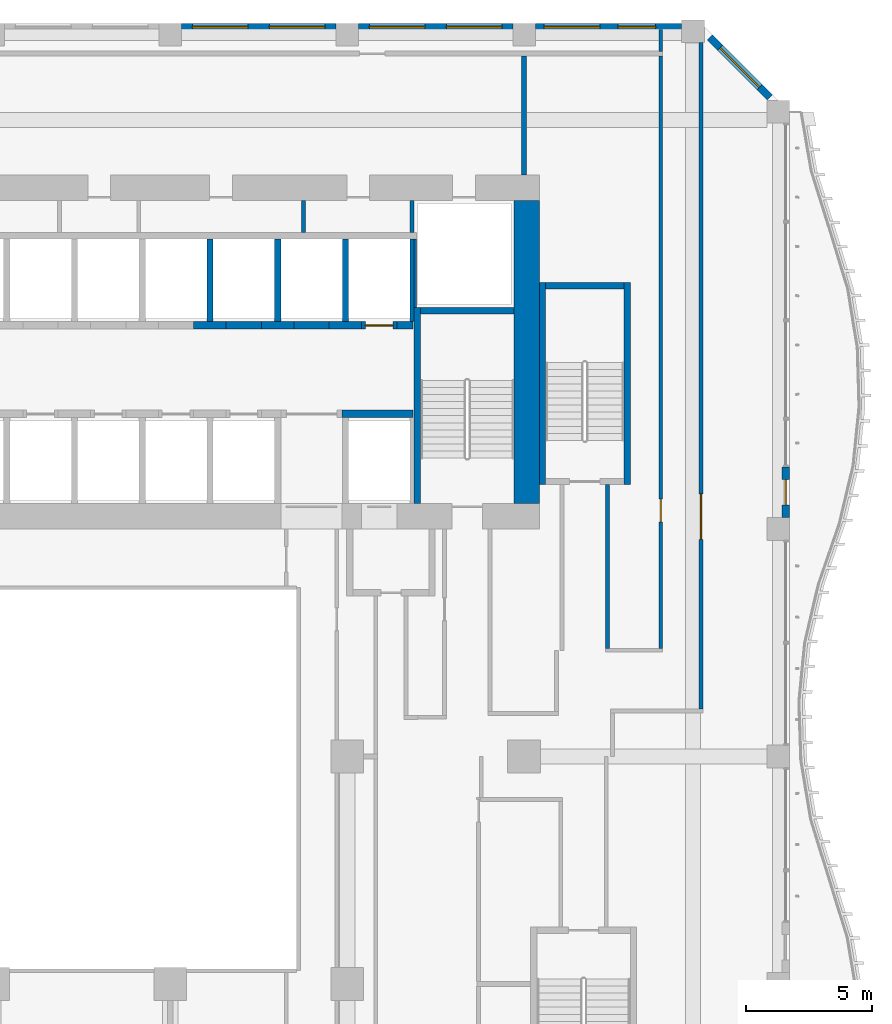
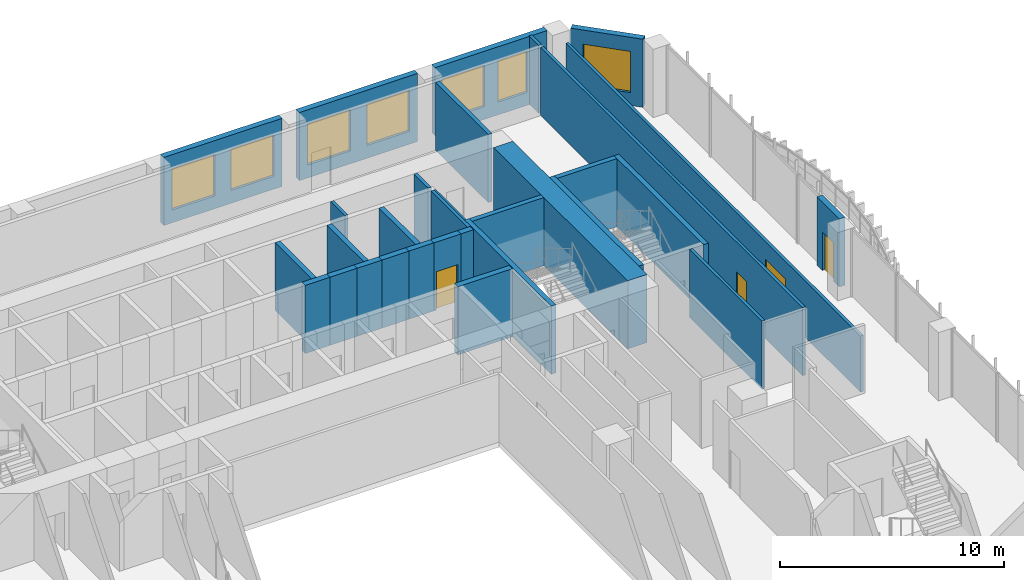
# One storey, part 15 of 25: 31 walls, 7 windows, 4 doors, 11 openings.
"""IFC4 building model written with IfcOpenShell, lengths in metres."""

from ifc_helpers import new_model, si_unit, direction, frame, frame_2d, origin, place, context, subcontext, project, spatial, rectangle, extrude, source, transform, mapped, material, layer, layer_set, type_object, element, fill, save


model = new_model("IFC4")

# Units and contexts
model_context = context("Model", 3, precision=1e-05, world=origin(), true_north=direction((0.0, 1.0)))
body_context = subcontext(model_context, "Body", "Model", "MODEL_VIEW")
ifc_project = project(units=[si_unit("LENGTHUNIT", "METRE"), si_unit("AREAUNIT", "SQUARE_METRE"), si_unit("VOLUMEUNIT", "CUBIC_METRE"), si_unit("PLANEANGLEUNIT", "RADIAN"), si_unit("MASSUNIT", "GRAM", prefix="KILO")], contexts=[model_context])

# Site, building, storey
site_placement = place(None, origin())
site = spatial("IfcSite", under=ifc_project, at=site_placement, CompositionType="ELEMENT")
building_placement = place(site_placement, origin())
building = spatial("IfcBuilding", under=site, at=building_placement, Name="Kilnfold Tower and Market Hall", CompositionType="ELEMENT")
storey_placement = place(building_placement, frame((0.0, 0.0, 39.0)))
storey = spatial("IfcBuildingStorey", under=building, at=storey_placement, Name="L08", CompositionType="ELEMENT", Elevation=39.0)

# Wall
ifc_material_1 = material(Name="Gypsum board on steel studs", Category="steel")
ifc_layer_1 = layer(ifc_material_1, 0.14990234375)
ifc_layer_set_1 = layer_set([ifc_layer_1], Name="Gypsum board on steel studs")
wall_type_1 = type_object("IfcWallType", Name="WALL CORRIDOR 150", PredefinedType="PARTITIONING", material=ifc_layer_set_1)
wall_1_placement = place(storey_placement, frame((20.800048828125, 3.27490234375, 0.0), z_axis=(0.0, 0.0, 1.0), x_axis=(0.0, 1.0, 0.0)))
element("IfcWall", 1, at=wall_1_placement, inside=storey, type_object=wall_type_1, Name="Partition LY08.27", PredefinedType="PARTITIONING", context=body_context, shape_type="SweptSolid", body=[
    extrude(rectangle(XDim=6.47509765625, YDim=0.14990234375, at=frame_2d((3.237548828125, 0.0))), origin(), (0.0, 0.0, 1.0), 3.719970703125),
])

# Wall, opening, door
wall_2_placement = place(storey_placement, frame((22.89990234375, 3.27490234375, 0.0), z_axis=(0.0, 0.0, 1.0), x_axis=(0.0, 1.0, 0.0)))
wall_2 = element("IfcWall", 2, at=wall_2_placement, inside=storey, type_object=wall_type_1, Name="Partition LY08.29", PredefinedType="PARTITIONING", context=body_context, shape_type="SweptSolid", body=[
    extrude(rectangle(XDim=23.43505859375, YDim=0.14990234375, at=frame_2d((11.717529296875, 0.0))), origin(), (0.0, 0.0, 1.0), 3.719970703125),
])
opening_1_placement = place(wall_2_placement, frame((5.008056640625, 0.0, 0.0)))
opening_1 = element("IfcOpeningElement", 3, at=opening_1_placement, cuts=wall_2, Name="Opening D2", PredefinedType="OPENING", context=body_context, shape_type="SweptSolid", body=[
    extrude(rectangle(XDim=0.89990234375, YDim=2.10009765625, at=frame_2d((0.449951171875, 1.050048828125))), frame((0.0, 0.0849609375, 0.0), z_axis=(0.0, -1.0, 0.0), x_axis=(1.0, 0.0, 0.0)), (0.0, 0.0, 1.0), 0.169921875),
])
ifc_material_2 = material(Name="Timber veneer door leaf in steel frame", Category="steel")
door_type_1 = type_object("IfcDoorType", Name="DOOR ROOM 900 X2100", OperationType="NOTDEFINED", PredefinedType="DOOR", material=ifc_material_2)
door_1_placement = place(opening_1_placement, origin())
door_1 = element("IfcDoor", 4, at=door_1_placement, inside=storey, type_object=door_type_1, Name="Door D2", OperationType="SINGLE_SWING_RIGHT", OverallHeight=2.10009765625, OverallWidth=0.89990234375, PredefinedType="DOOR", context=body_context, shape_type="SweptSolid", body=[
    extrude(rectangle(XDim=0.89990234375, YDim=2.10009765625, at=frame_2d((0.449951171875, 1.050048828125))), frame((0.0, 0.02490234375, 0.0), z_axis=(0.0, -1.0, 0.0), x_axis=(1.0, 0.0, 0.0)), (0.0, 0.0, 1.0), 0.050048828125),
])
fill(opening_1, door_1)

wall_3_placement = place(storey_placement, frame((24.5, 0.875, 0.0), z_axis=(0.0, 0.0, 1.0), x_axis=(0.0, 1.0, 0.0)))
wall_3 = element("IfcWall", 5, at=wall_3_placement, inside=storey, type_object=wall_type_1, Name="Partition LY08.48", PredefinedType="PARTITIONING", context=body_context, shape_type="SweptSolid", body=[
    extrude(rectangle(XDim=26.35693359375, YDim=0.14990234375, at=frame_2d((13.178466796875, 0.0))), origin(), (0.0, 0.0, 1.0), 3.070068359375),
])
opening_2_placement = place(wall_3_placement, frame((6.715087890625, 0.0, 0.0)))
opening_2 = element("IfcOpeningElement", 6, at=opening_2_placement, cuts=wall_3, Name="Opening D5", PredefinedType="OPENING", context=body_context, shape_type="SweptSolid", body=[
    extrude(rectangle(XDim=1.800048828125, YDim=2.10009765625, at=frame_2d((0.89990234375, 1.050048828125))), frame((0.0, 0.0849609375, 0.0), z_axis=(0.0, -1.0, 0.0), x_axis=(1.0, 0.0, 0.0)), (0.0, 0.0, 1.0), 0.169921875),
])
ifc_material_3 = material(Name="Timber veneer door leaf in steel frame", Category="steel")
door_type_2 = type_object("IfcDoorType", Name="DOOR DOUBLE 1800 X2100", OperationType="NOTDEFINED", PredefinedType="DOOR", material=ifc_material_3)
door_2_placement = place(opening_2_placement, origin())
door_2 = element("IfcDoor", 7, at=door_2_placement, inside=storey, type_object=door_type_2, Name="Door D5", OperationType="DOUBLE_DOOR_SINGLE_SWING", OverallHeight=2.10009765625, OverallWidth=1.800048828125, PredefinedType="DOOR", context=body_context, shape_type="SweptSolid", body=[
    extrude(rectangle(XDim=1.800048828125, YDim=2.10009765625, at=frame_2d((0.89990234375, 1.050048828125))), frame((0.0, 0.02490234375, 0.0), z_axis=(0.0, -1.0, 0.0), x_axis=(1.0, 0.0, 0.0)), (0.0, 0.0, 1.0), 0.050048828125),
])
fill(opening_2, door_2)

# Walls
wall_4_placement = place(storey_placement, frame((22.89990234375, 26.89111328125, 0.0), z_axis=(0.0, 0.0, 1.0), x_axis=(0.0, 1.0, 0.0)))
element("IfcWall", 8, at=wall_4_placement, inside=storey, type_object=wall_type_1, Name="Partition LY08.54", PredefinedType="PARTITIONING", context=body_context, shape_type="SweptSolid", body=[
    extrude(rectangle(XDim=0.85888671875, YDim=0.14990234375, at=frame_2d((0.429443359375, 0.0))), origin(), (0.0, 0.0, 1.0), 3.719970703125),
])
ifc_material_4 = material(Name="Gypsum board on steel studs", Category="steel")
ifc_layer_2 = layer(ifc_material_4, 0.199951171875)
ifc_layer_set_2 = layer_set([ifc_layer_2], Name="Gypsum board on steel studs")
wall_type_2 = type_object("IfcWallType", Name="WALL PARTY 200", PredefinedType="PARTITIONING", material=ifc_layer_set_2)
wall_5_placement = place(storey_placement, frame((17.5, 22.0, 0.0), z_axis=(0.0, 0.0, 1.0), x_axis=(0.0, 1.0, 0.0)))
element("IfcWall", 9, at=wall_5_placement, inside=storey, type_object=wall_type_2, Name="Partition LY08.55", PredefinedType="PARTITIONING", context=body_context, shape_type="SweptSolid", body=[
    extrude(rectangle(XDim=4.699951171875, YDim=0.199951171875, at=frame_2d((2.35009765625, 0.0))), origin(), (0.0, 0.0, 1.0), 3.719970703125),
])
ifc_material_5 = material(Name="Concrete C80", Category="concrete")
ifc_layer_3 = layer(ifc_material_5, 1.0)
ifc_layer_set_3 = layer_set([ifc_layer_3], Name="Concrete C80")
wall_type_3 = type_object("IfcWallType", Name="CORE WALL 1000 C80", PredefinedType="SHEAR", material=ifc_layer_set_3)
shared_shape_1 = source(origin(), body_context, "Body", "SweptSolid", [
    extrude(rectangle(XDim=12.0, YDim=1.0, at=frame_2d((6.0, 0.0))), origin(), (0.0, 0.0, 1.0), 3.719970703125),
])
wall_6_placement = place(storey_placement, frame((17.60009765625, 9.0, 0.0), z_axis=(0.0, 0.0, 1.0), x_axis=(0.0, 1.0, 0.0)))
element("IfcWall", 10, at=wall_6_placement, inside=storey, type_object=wall_type_3, Name="Core outer wall east", PredefinedType="SHEAR", context=body_context, shape_type="MappedRepresentation", body=[
    mapped(shared_shape_1, transform((0.0, 0.0, 0.0))),
])
ifc_material_6 = material(Name="Concrete C80", Category="concrete")
ifc_layer_4 = layer(ifc_material_6, 0.25)
ifc_layer_set_4 = layer_set([ifc_layer_4], Name="Concrete C80")
wall_type_4 = type_object("IfcWallType", Name="CORE WALL 250 C80", PredefinedType="SHEAR", material=ifc_layer_set_4)
shared_shape_2 = source(origin(), body_context, "Body", "SweptSolid", [
    extrude(rectangle(XDim=7.75, YDim=0.25, at=frame_2d((3.875, 0.0))), origin(), (0.0, 0.0, 1.0), 3.719970703125),
])
wall_7_placement = place(storey_placement, frame((13.27490234375, 9.0, 0.0), z_axis=(0.0, 0.0, 1.0), x_axis=(0.0, 1.0, 0.0)))
element("IfcWall", 11, at=wall_7_placement, inside=storey, type_object=wall_type_4, Name="Stair enclosure ST2", PredefinedType="SHEAR", context=body_context, shape_type="MappedRepresentation", body=[
    mapped(shared_shape_2, transform((0.0, 0.0, 0.0))),
])
shared_shape_3 = source(origin(), body_context, "Body", "SweptSolid", [
    extrude(rectangle(XDim=3.7001953125, YDim=0.25, at=frame_2d((1.85009765625, 0.0))), origin(), (0.0, 0.0, 1.0), 3.719970703125),
])
wall_8_placement = place(storey_placement, frame((13.39990234375, 16.625, 0.0), z_axis=(0.0, 0.0, 1.0), x_axis=(1.0, 0.0, 0.0)))
element("IfcWall", 12, at=wall_8_placement, inside=storey, type_object=wall_type_4, Name="Stair enclosure ST2", PredefinedType="SHEAR", context=body_context, shape_type="MappedRepresentation", body=[
    mapped(shared_shape_3, transform((0.0, 0.0, 0.0))),
])
shared_shape_4 = source(origin(), body_context, "Body", "SweptSolid", [
    extrude(rectangle(XDim=8.0, YDim=0.25, at=frame_2d((4.0, 0.0))), origin(), (0.0, 0.0, 1.0), 3.719970703125),
])
for number, where, z_axis, x_axis, name in (
    (13, (18.22509765625, 9.75, 0.0), (0.0, 0.0, 1.0), (0.0, 1.0, 0.0), "Stair enclosure ST5"),
    (14, (21.574951171875, 9.75, 0.0), (0.0, 0.0, 1.0), (0.0, 1.0, 0.0), "Stair enclosure ST5"),
):
    element("IfcWall", number, at=place(storey_placement, frame(where, z_axis=z_axis, x_axis=x_axis)), inside=storey, type_object=wall_type_4, Name=name, PredefinedType="SHEAR", context=body_context, shape_type="MappedRepresentation", body=[
        mapped(shared_shape_4, transform((0.0, 0.0, 0.0))),
    ])
shared_shape_5 = source(origin(), body_context, "Body", "SweptSolid", [
    extrude(rectangle(XDim=3.099853515625, YDim=0.25, at=frame_2d((1.5498046875, 0.0))), origin(), (0.0, 0.0, 1.0), 3.719970703125),
])
wall_9_placement = place(storey_placement, frame((18.35009765625, 17.625, 0.0), z_axis=(0.0, 0.0, 1.0), x_axis=(1.0, 0.0, 0.0)))
element("IfcWall", 15, at=wall_9_placement, inside=storey, type_object=wall_type_4, Name="Stair enclosure ST5", PredefinedType="SHEAR", context=body_context, shape_type="MappedRepresentation", body=[
    mapped(shared_shape_5, transform((0.0, 0.0, 0.0))),
])
ifc_material_7 = material(Name="Concrete C80", Category="concrete")
ifc_layer_5 = layer(ifc_material_7, 0.300048828125)
ifc_layer_set_5 = layer_set([ifc_layer_5], Name="Concrete C80")
wall_type_5 = type_object("IfcWallType", Name="CORE WALL 300 C80", PredefinedType="SHEAR", material=ifc_layer_set_5)
shared_shape_6 = source(origin(), body_context, "Body", "SweptSolid", [
    extrude(rectangle(XDim=1.280029296875, YDim=0.300048828125, at=frame_2d((0.64013671875, 0.0))), origin(), (0.0, 0.0, 1.0), 3.719970703125),
])
for number, where, z_axis, x_axis, name in (
    (16, (4.429931640625, 16.050048828125, 0.0), (0.0, 0.0, 1.0), (1.0, 0.0, 0.0), "Core spine wall"),
    (17, (9.7900390625, 16.050048828125, 0.0), (0.0, 0.0, 1.0), (1.0, 0.0, 0.0), "Core spine wall"),
):
    element("IfcWall", number, at=place(storey_placement, frame(where, z_axis=z_axis, x_axis=x_axis)), inside=storey, type_object=wall_type_5, Name=name, PredefinedType="SHEAR", context=body_context, shape_type="MappedRepresentation", body=[
        mapped(shared_shape_6, transform((0.0, 0.0, 0.0))),
    ])
shared_shape_7 = source(origin(), body_context, "Body", "SweptSolid", [
    extrude(rectangle(XDim=2.820068359375, YDim=0.300048828125, at=frame_2d((1.41015625, 0.0))), origin(), (0.0, 0.0, 1.0), 3.719970703125),
])
wall_10_placement = place(storey_placement, frame((10.2900390625, 12.550048828125, 0.0), z_axis=(0.0, 0.0, 1.0), x_axis=(1.0, 0.0, 0.0)))
element("IfcWall", 18, at=wall_10_placement, inside=storey, type_object=wall_type_5, Name="Core spine wall", PredefinedType="SHEAR", context=body_context, shape_type="MappedRepresentation", body=[
    mapped(shared_shape_7, transform((0.0, 0.0, 0.0))),
])
shared_shape_8 = source(origin(), body_context, "Body", "SweptSolid", [
    extrude(rectangle(XDim=1.27978515625, YDim=0.300048828125, at=frame_2d((0.639892578125, 0.0))), origin(), (0.0, 0.0, 1.0), 3.719970703125),
])
wall_11_placement = place(storey_placement, frame((7.110107421875, 16.050048828125, 0.0), z_axis=(0.0, 0.0, 1.0), x_axis=(1.0, 0.0, 0.0)))
element("IfcWall", 19, at=wall_11_placement, inside=storey, type_object=wall_type_5, Name="Core spine wall", PredefinedType="SHEAR", context=body_context, shape_type="MappedRepresentation", body=[
    mapped(shared_shape_8, transform((0.0, 0.0, 0.0))),
])
shared_shape_9 = source(origin(), body_context, "Body", "SweptSolid", [
    extrude(rectangle(XDim=0.64013671875, YDim=0.300048828125, at=frame_2d((0.320068359375, 0.0))), origin(), (0.0, 0.0, 1.0), 3.719970703125),
])
wall_12_placement = place(storey_placement, frame((12.469970703125, 16.050048828125, 0.0), z_axis=(0.0, 0.0, 1.0), x_axis=(1.0, 0.0, 0.0)))
element("IfcWall", 20, at=wall_12_placement, inside=storey, type_object=wall_type_5, Name="Core spine wall", PredefinedType="SHEAR", context=body_context, shape_type="MappedRepresentation", body=[
    mapped(shared_shape_9, transform((0.0, 0.0, 0.0))),
])

# Wall, opening, door
ifc_material_8 = material(Name="Precast concrete C50/60", Category="concrete")
ifc_layer_6 = layer(ifc_material_8, 0.300048828125)
ifc_layer_set_6 = layer_set([ifc_layer_6], Name="Precast concrete C50/60")
wall_type_6 = type_object("IfcWallType", Name="PRECAST WALL 300", PredefinedType="SOLIDWALL", material=ifc_layer_set_6)
shared_shape_10 = source(origin(), body_context, "Body", "SweptSolid", [
    extrude(rectangle(XDim=2.0, YDim=0.300048828125, at=frame_2d((1.0, 0.0))), origin(), (0.0, 0.0, 1.0), 3.719970703125),
])
wall_13_placement = place(storey_placement, frame((27.85009765625, 8.449951171875, 0.0), z_axis=(0.0, 0.0, 1.0), x_axis=(0.0, 1.0, 0.0)))
wall_13 = element("IfcWall", 21, at=wall_13_placement, inside=storey, type_object=wall_type_6, Name="External wall L08 E", PredefinedType="SOLIDWALL", context=body_context, shape_type="MappedRepresentation", body=[
    mapped(shared_shape_10, transform((0.0, 0.0, 0.0))),
])
opening_3_placement = place(wall_13_placement, frame((0.5, 0.0, 0.0)))
opening_3 = element("IfcOpeningElement", 22, at=opening_3_placement, cuts=wall_13, Name="Opening BD1", PredefinedType="OPENING", context=body_context, shape_type="SweptSolid", body=[
    extrude(rectangle(XDim=1.0, YDim=2.10009765625, at=frame_2d((0.5, 1.050048828125))), frame((0.0, 0.16015625, 0.0), z_axis=(0.0, -1.0, 0.0), x_axis=(1.0, 0.0, 0.0)), (0.0, 0.0, 1.0), 0.320068359375),
])
ifc_material_9 = material(Name="Aluminium frame and double glazing", Category="aluminium")
door_type_3 = type_object("IfcDoorType", Name="BALCONY DOOR 1000X2100", OperationType="NOTDEFINED", PredefinedType="DOOR", material=ifc_material_9)
door_3_placement = place(opening_3_placement, origin())
door_3 = element("IfcDoor", 23, at=door_3_placement, inside=storey, type_object=door_type_3, Name="Balcony door BD1 L08 E-1", OperationType="SINGLE_SWING_LEFT", OverallHeight=2.10009765625, OverallWidth=1.0, PredefinedType="DOOR", context=body_context, shape_type="SweptSolid", body=[
    extrude(rectangle(XDim=1.0, YDim=2.10009765625, at=frame_2d((0.5, 1.050048828125))), frame((0.0, 0.02490234375, 0.0), z_axis=(0.0, -1.0, 0.0), x_axis=(1.0, 0.0, 0.0)), (0.0, 0.0, 1.0), 0.050048828125),
])
fill(opening_3, door_3)

# Wall, opening, window
shared_shape_11 = source(origin(), body_context, "Body", "SweptSolid", [
    extrude(rectangle(XDim=3.35888671875, YDim=0.300048828125, at=frame_2d((1.679443359375, 0.0))), origin(), (0.0, 0.0, 1.0), 3.719970703125),
])
wall_14_placement = place(storey_placement, frame((27.218994140625, 25.06884765625, 0.0), z_axis=(0.0, 0.0, 1.0), x_axis=(-0.707070438228, 0.707143122278, 0.0)))
wall_14 = element("IfcWall", 24, at=wall_14_placement, inside=storey, type_object=wall_type_6, Name="External wall L08 NE", PredefinedType="SOLIDWALL", context=body_context, shape_type="MappedRepresentation", body=[
    mapped(shared_shape_11, transform((0.0, 0.0, 0.0))),
])
opening_4_placement = place(wall_14_placement, frame((0.579345703125, 0.0, 0.699951171875)))
opening_4 = element("IfcOpeningElement", 25, at=opening_4_placement, cuts=wall_14, Name="Opening W1", PredefinedType="OPENING", context=body_context, shape_type="SweptSolid", body=[
    extrude(rectangle(XDim=2.199951171875, YDim=2.25, at=frame_2d((1.10009765625, 1.125))), frame((0.0, 0.16015625, 0.0), z_axis=(0.0, -1.0, 0.0), x_axis=(1.0, 0.0, 0.0)), (0.0, 0.0, 1.0), 0.320068359375),
])
ifc_material_10 = material(Name="Aluminium frame and double glazing", Category="aluminium")
window_type_1 = type_object("IfcWindowType", Name="WINDOW W1 2200X2250", PartitioningType="SINGLE_PANEL", PredefinedType="WINDOW", material=ifc_material_10)
window_1_placement = place(opening_4_placement, origin())
window_1 = element("IfcWindow", 26, at=window_1_placement, inside=storey, type_object=window_type_1, Name="Window W1 L08 NE-1", OverallHeight=2.25, OverallWidth=2.199951171875, PartitioningType="SINGLE_PANEL", PredefinedType="WINDOW", context=body_context, shape_type="SweptSolid", body=[
    extrude(rectangle(XDim=2.199951171875, YDim=2.25, at=frame_2d((1.10009765625, 1.125))), frame((0.0, 0.030029296875, 0.0), z_axis=(0.0, -1.0, 0.0), x_axis=(1.0, 0.0, 0.0)), (0.0, 0.0, 1.0), 0.06005859375),
])
fill(opening_4, window_1)

# Wall, openings, windows
shared_shape_12 = source(origin(), body_context, "Body", "SweptSolid", [
    extrude(rectangle(XDim=5.78173828125, YDim=0.300048828125, at=frame_2d((2.890869140625, 0.0))), origin(), (0.0, 0.0, 1.0), 3.719970703125),
])
wall_15_placement = place(storey_placement, frame((23.731689453125, 27.85009765625, 0.0), z_axis=(0.0, 0.0, 1.0), x_axis=(-1.0, 0.0, 0.0)))
wall_15 = element("IfcWall", 27, at=wall_15_placement, inside=storey, type_object=wall_type_6, Name="External wall L08 N", PredefinedType="SOLIDWALL", context=body_context, shape_type="MappedRepresentation", body=[
    mapped(shared_shape_12, transform((0.0, 0.0, 0.0))),
])
opening_5_placement = place(wall_15_placement, frame((1.026123046875, 0.0, 0.699951171875)))
opening_5 = element("IfcOpeningElement", 28, at=opening_5_placement, cuts=wall_15, Name="Opening W1-A", PredefinedType="OPENING", context=body_context, shape_type="SweptSolid", body=[
    extrude(rectangle(XDim=1.5, YDim=2.25, at=frame_2d((0.75, 1.125))), frame((0.0, 0.16015625, 0.0), z_axis=(0.0, -1.0, 0.0), x_axis=(1.0, 0.0, 0.0)), (0.0, 0.0, 1.0), 0.320068359375),
])
opening_6_placement = place(wall_15_placement, frame((3.236328125, 0.0, 0.699951171875)))
opening_6 = element("IfcOpeningElement", 29, at=opening_6_placement, cuts=wall_15, Name="Opening W1", PredefinedType="OPENING", context=body_context, shape_type="SweptSolid", body=[
    extrude(rectangle(XDim=2.199951171875, YDim=2.25, at=frame_2d((1.10009765625, 1.125))), frame((0.0, 0.16015625, 0.0), z_axis=(0.0, -1.0, 0.0), x_axis=(1.0, 0.0, 0.0)), (0.0, 0.0, 1.0), 0.320068359375),
])
window_2_placement = place(opening_6_placement, origin())
window_2 = element("IfcWindow", 30, at=window_2_placement, inside=storey, type_object=window_type_1, Name="Window W1 L08 N-2", OverallHeight=2.25, OverallWidth=2.199951171875, PartitioningType="SINGLE_PANEL", PredefinedType="WINDOW", context=body_context, shape_type="SweptSolid", body=[
    extrude(rectangle(XDim=2.199951171875, YDim=2.25, at=frame_2d((1.10009765625, 1.125))), frame((0.0, 0.030029296875, 0.0), z_axis=(0.0, -1.0, 0.0), x_axis=(1.0, 0.0, 0.0)), (0.0, 0.0, 1.0), 0.06005859375),
])
fill(opening_6, window_2)
ifc_material_11 = material(Name="Aluminium frame and double glazing", Category="aluminium")
window_type_2 = type_object("IfcWindowType", Name="WINDOW W1-A 1500X2250", PartitioningType="SINGLE_PANEL", PredefinedType="WINDOW", material=ifc_material_11)
window_3_placement = place(opening_5_placement, origin())
window_3 = element("IfcWindow", 31, at=window_3_placement, inside=storey, type_object=window_type_2, Name="Window W1-A L08 N-1", OverallHeight=2.25, OverallWidth=1.5, PartitioningType="SINGLE_PANEL", PredefinedType="WINDOW", context=body_context, shape_type="SweptSolid", body=[
    extrude(rectangle(XDim=1.5, YDim=2.25, at=frame_2d((0.75, 1.125))), frame((0.0, 0.030029296875, 0.0), z_axis=(0.0, -1.0, 0.0), x_axis=(1.0, 0.0, 0.0)), (0.0, 0.0, 1.0), 0.06005859375),
])
fill(opening_5, window_3)

shared_shape_13 = source(origin(), body_context, "Body", "SweptSolid", [
    extrude(rectangle(XDim=6.10009765625, YDim=0.300048828125, at=frame_2d((3.050048828125, 0.0))), origin(), (0.0, 0.0, 1.0), 3.719970703125),
])
wall_16_placement = place(storey_placement, frame((17.050048828125, 27.85009765625, 0.0), z_axis=(0.0, 0.0, 1.0), x_axis=(-1.0, 0.0, 0.0)))
wall_16 = element("IfcWall", 32, at=wall_16_placement, inside=storey, type_object=wall_type_6, Name="External wall L08 N", PredefinedType="SOLIDWALL", context=body_context, shape_type="MappedRepresentation", body=[
    mapped(shared_shape_13, transform((0.0, 0.0, 0.0))),
])
opening_7_placement = place(wall_16_placement, frame((0.425048828125, 0.0, 0.699951171875)))
opening_7 = element("IfcOpeningElement", 33, at=opening_7_placement, cuts=wall_16, Name="Opening W1", PredefinedType="OPENING", context=body_context, shape_type="SweptSolid", body=[
    extrude(rectangle(XDim=2.199951171875, YDim=2.25, at=frame_2d((1.10009765625, 1.125))), frame((0.0, 0.16015625, 0.0), z_axis=(0.0, -1.0, 0.0), x_axis=(1.0, 0.0, 0.0)), (0.0, 0.0, 1.0), 0.320068359375),
])
opening_8_placement = place(wall_16_placement, frame((3.47509765625, 0.0, 0.699951171875)))
opening_8 = element("IfcOpeningElement", 34, at=opening_8_placement, cuts=wall_16, Name="Opening W1", PredefinedType="OPENING", context=body_context, shape_type="SweptSolid", body=[
    extrude(rectangle(XDim=2.199951171875, YDim=2.25, at=frame_2d((1.10009765625, 1.125))), frame((0.0, 0.16015625, 0.0), z_axis=(0.0, -1.0, 0.0), x_axis=(1.0, 0.0, 0.0)), (0.0, 0.0, 1.0), 0.320068359375),
])
window_4_placement = place(opening_7_placement, origin())
window_4 = element("IfcWindow", 35, at=window_4_placement, inside=storey, type_object=window_type_1, Name="Window W1 L08 N-1", OverallHeight=2.25, OverallWidth=2.199951171875, PartitioningType="SINGLE_PANEL", PredefinedType="WINDOW", context=body_context, shape_type="SweptSolid", body=[
    extrude(rectangle(XDim=2.199951171875, YDim=2.25, at=frame_2d((1.10009765625, 1.125))), frame((0.0, 0.030029296875, 0.0), z_axis=(0.0, -1.0, 0.0), x_axis=(1.0, 0.0, 0.0)), (0.0, 0.0, 1.0), 0.06005859375),
])
fill(opening_7, window_4)
window_5_placement = place(opening_8_placement, origin())
window_5 = element("IfcWindow", 36, at=window_5_placement, inside=storey, type_object=window_type_1, Name="Window W1 L08 N-2", OverallHeight=2.25, OverallWidth=2.199951171875, PartitioningType="SINGLE_PANEL", PredefinedType="WINDOW", context=body_context, shape_type="SweptSolid", body=[
    extrude(rectangle(XDim=2.199951171875, YDim=2.25, at=frame_2d((1.10009765625, 1.125))), frame((0.0, 0.030029296875, 0.0), z_axis=(0.0, -1.0, 0.0), x_axis=(1.0, 0.0, 0.0)), (0.0, 0.0, 1.0), 0.06005859375),
])
fill(opening_8, window_5)

wall_17_placement = place(storey_placement, frame((10.050048828125, 27.85009765625, 0.0), z_axis=(0.0, 0.0, 1.0), x_axis=(-1.0, 0.0, 0.0)))
wall_17 = element("IfcWall", 37, at=wall_17_placement, inside=storey, type_object=wall_type_6, Name="External wall L08 N", PredefinedType="SOLIDWALL", context=body_context, shape_type="MappedRepresentation", body=[
    mapped(shared_shape_13, transform((0.0, 0.0, 0.0))),
])
opening_9_placement = place(wall_17_placement, frame((0.425048828125, 0.0, 0.699951171875)))
opening_9 = element("IfcOpeningElement", 38, at=opening_9_placement, cuts=wall_17, Name="Opening W1", PredefinedType="OPENING", context=body_context, shape_type="SweptSolid", body=[
    extrude(rectangle(XDim=2.199951171875, YDim=2.25, at=frame_2d((1.10009765625, 1.125))), frame((0.0, 0.16015625, 0.0), z_axis=(0.0, -1.0, 0.0), x_axis=(1.0, 0.0, 0.0)), (0.0, 0.0, 1.0), 0.320068359375),
])
opening_10_placement = place(wall_17_placement, frame((3.47509765625, 0.0, 0.699951171875)))
opening_10 = element("IfcOpeningElement", 39, at=opening_10_placement, cuts=wall_17, Name="Opening W1", PredefinedType="OPENING", context=body_context, shape_type="SweptSolid", body=[
    extrude(rectangle(XDim=2.199951171875, YDim=2.25, at=frame_2d((1.10009765625, 1.125))), frame((0.0, 0.16015625, 0.0), z_axis=(0.0, -1.0, 0.0), x_axis=(1.0, 0.0, 0.0)), (0.0, 0.0, 1.0), 0.320068359375),
])
window_6_placement = place(opening_9_placement, origin())
window_6 = element("IfcWindow", 40, at=window_6_placement, inside=storey, type_object=window_type_1, Name="Window W1 L08 N-1", OverallHeight=2.25, OverallWidth=2.199951171875, PartitioningType="SINGLE_PANEL", PredefinedType="WINDOW", context=body_context, shape_type="SweptSolid", body=[
    extrude(rectangle(XDim=2.199951171875, YDim=2.25, at=frame_2d((1.10009765625, 1.125))), frame((0.0, 0.030029296875, 0.0), z_axis=(0.0, -1.0, 0.0), x_axis=(1.0, 0.0, 0.0)), (0.0, 0.0, 1.0), 0.06005859375),
])
fill(opening_9, window_6)
window_7_placement = place(opening_10_placement, origin())
window_7 = element("IfcWindow", 41, at=window_7_placement, inside=storey, type_object=window_type_1, Name="Window W1 L08 N-2", OverallHeight=2.25, OverallWidth=2.199951171875, PartitioningType="SINGLE_PANEL", PredefinedType="WINDOW", context=body_context, shape_type="SweptSolid", body=[
    extrude(rectangle(XDim=2.199951171875, YDim=2.25, at=frame_2d((1.10009765625, 1.125))), frame((0.0, 0.030029296875, 0.0), z_axis=(0.0, -1.0, 0.0), x_axis=(1.0, 0.0, 0.0)), (0.0, 0.0, 1.0), 0.06005859375),
])
fill(opening_10, window_7)

# Wall, opening, door
ifc_material_12 = material(Name="Gypsum shaft wall system")
ifc_layer_7 = layer(ifc_material_12, 0.300048828125)
ifc_layer_set_7 = layer_set([ifc_layer_7], Name="Gypsum shaft wall system")
wall_type_7 = type_object("IfcWallType", Name="SHAFT WALL 300", PredefinedType="PARTITIONING", material=ifc_layer_set_7)
shared_shape_14 = source(origin(), body_context, "Body", "SweptSolid", [
    extrude(rectangle(XDim=1.39990234375, YDim=0.300048828125, at=frame_2d((0.699951171875, 0.0))), origin(), (0.0, 0.0, 1.0), 3.719970703125),
])
wall_18_placement = place(storey_placement, frame((11.070068359375, 16.050048828125, 0.0), z_axis=(0.0, 0.0, 1.0), x_axis=(1.0, 0.0, 0.0)))
wall_18 = element("IfcWall", 42, at=wall_18_placement, inside=storey, type_object=wall_type_7, Name="Lift shaft front wall", PredefinedType="PARTITIONING", context=body_context, shape_type="MappedRepresentation", body=[
    mapped(shared_shape_14, transform((0.0, 0.0, 0.0))),
])
opening_11_placement = place(wall_18_placement, frame((0.14990234375, 0.0, 0.0)))
opening_11 = element("IfcOpeningElement", 43, at=opening_11_placement, cuts=wall_18, Name="Opening LD2", PredefinedType="OPENING", context=body_context, shape_type="SweptSolid", body=[
    extrude(rectangle(XDim=1.10009765625, YDim=2.10009765625, at=frame_2d((0.550048828125, 1.050048828125))), frame((0.0, 0.16015625, 0.0), z_axis=(0.0, -1.0, 0.0), x_axis=(1.0, 0.0, 0.0)), (0.0, 0.0, 1.0), 0.320068359375),
])
ifc_material_13 = material(Name="Steel door set with fire-resisting leaf", Category="steel")
door_type_4 = type_object("IfcDoorType", Name="LANDING DOOR 1100X2100", OperationType="NOTDEFINED", PredefinedType="DOOR", material=ifc_material_13)
door_4_placement = place(opening_11_placement, origin())
door_4 = element("IfcDoor", 44, at=door_4_placement, inside=storey, type_object=door_type_4, Name="Landing door LR6", OperationType="DOUBLE_DOOR_SLIDING", OverallHeight=2.10009765625, OverallWidth=1.10009765625, PredefinedType="DOOR", context=body_context, shape_type="SweptSolid", body=[
    extrude(rectangle(XDim=1.10009765625, YDim=2.10009765625, at=frame_2d((0.550048828125, 1.050048828125))), frame((0.0, 0.02490234375, 0.0), z_axis=(0.0, -1.0, 0.0), x_axis=(1.0, 0.0, 0.0)), (0.0, 0.0, 1.0), 0.050048828125),
])
fill(opening_11, door_4)

# Walls
shared_shape_15 = source(origin(), body_context, "Body", "SweptSolid", [
    extrude(rectangle(XDim=1.400146484375, YDim=0.300048828125, at=frame_2d((0.7001953125, 0.0))), origin(), (0.0, 0.0, 1.0), 3.719970703125),
])
for number, where, z_axis, x_axis, name in (
    (45, (5.7099609375, 16.050048828125, 0.0), (0.0, 0.0, 1.0), (1.0, 0.0, 0.0), "Lift shaft front wall"),
    (46, (8.389892578125, 16.050048828125, 0.0), (0.0, 0.0, 1.0), (1.0, 0.0, 0.0), "Lift shaft front wall"),
):
    element("IfcWall", number, at=place(storey_placement, frame(where, z_axis=z_axis, x_axis=x_axis)), inside=storey, type_object=wall_type_7, Name=name, PredefinedType="PARTITIONING", context=body_context, shape_type="MappedRepresentation", body=[
        mapped(shared_shape_15, transform((0.0, 0.0, 0.0))),
    ])
ifc_material_14 = material(Name="Gypsum shaft wall system")
ifc_layer_8 = layer(ifc_material_14, 0.1650390625)
ifc_layer_set_8 = layer_set([ifc_layer_8], Name="Gypsum shaft wall system")
wall_type_8 = type_object("IfcWallType", Name="SHAFT WALL 165", PredefinedType="PARTITIONING", material=ifc_layer_set_8)
shared_shape_16 = source(origin(), body_context, "Body", "SweptSolid", [
    extrude(rectangle(XDim=3.275146484375, YDim=0.1650390625, at=frame_2d((1.6376953125, 0.0))), origin(), (0.0, 0.0, 1.0), 3.719970703125),
])
wall_19_placement = place(storey_placement, frame((13.0673828125, 16.199951171875, 0.0), z_axis=(0.0, 0.0, 1.0), x_axis=(0.0, 1.0, 0.0)))
element("IfcWall", 47, at=wall_19_placement, inside=storey, type_object=wall_type_8, Name="Lift shaft wall", PredefinedType="PARTITIONING", context=body_context, shape_type="MappedRepresentation", body=[
    mapped(shared_shape_16, transform((0.0, 0.0, 0.0))),
])
shared_shape_17 = source(origin(), body_context, "Body", "SweptSolid", [
    extrude(rectangle(XDim=1.27490234375, YDim=0.1650390625, at=frame_2d((0.637451171875, 0.0))), origin(), (0.0, 0.0, 1.0), 3.719970703125),
])
wall_20_placement = place(storey_placement, frame((13.0673828125, 19.72509765625, 0.0), z_axis=(0.0, 0.0, 1.0), x_axis=(0.0, 1.0, 0.0)))
element("IfcWall", 48, at=wall_20_placement, inside=storey, type_object=wall_type_8, Name="Lift shaft wall", PredefinedType="PARTITIONING", context=body_context, shape_type="MappedRepresentation", body=[
    mapped(shared_shape_17, transform((0.0, 0.0, 0.0))),
])
ifc_material_15 = material(Name="Gypsum shaft wall system")
ifc_layer_9 = layer(ifc_material_15, 0.25)
ifc_layer_set_9 = layer_set([ifc_layer_9], Name="Gypsum shaft wall system")
wall_type_9 = type_object("IfcWallType", Name="SHAFT WALL 250", PredefinedType="PARTITIONING", material=ifc_layer_set_9)
shared_shape_18 = source(origin(), body_context, "Body", "SweptSolid", [
    extrude(rectangle(XDim=3.275146484375, YDim=0.25, at=frame_2d((1.6376953125, 0.0))), origin(), (0.0, 0.0, 1.0), 3.719970703125),
])
for number, where, z_axis, x_axis, name in (
    (49, (10.429931640625, 16.199951171875, 0.0), (0.0, 0.0, 1.0), (0.0, 1.0, 0.0), "Lift shaft wall"),
    (50, (5.070068359375, 16.199951171875, 0.0), (0.0, 0.0, 1.0), (0.0, 1.0, 0.0), "Lift shaft wall"),
    (51, (7.75, 16.199951171875, 0.0), (0.0, 0.0, 1.0), (0.0, 1.0, 0.0), "Lift shaft wall"),
):
    element("IfcWall", number, at=place(storey_placement, frame(where, z_axis=z_axis, x_axis=x_axis)), inside=storey, type_object=wall_type_9, Name=name, PredefinedType="PARTITIONING", context=body_context, shape_type="MappedRepresentation", body=[
        mapped(shared_shape_18, transform((0.0, 0.0, 0.0))),
    ])
ifc_material_16 = material(Name="Gypsum shaft wall system")
ifc_layer_10 = layer(ifc_material_16, 0.0849609375)
ifc_layer_set_10 = layer_set([ifc_layer_10], Name="Gypsum shaft wall system")
wall_type_10 = type_object("IfcWallType", Name="SHAFT WALL 85", PredefinedType="PARTITIONING", material=ifc_layer_set_10)
shared_shape_19 = source(origin(), body_context, "Body", "SweptSolid", [
    extrude(rectangle(XDim=2.72509765625, YDim=0.0849609375, at=frame_2d((1.362548828125, 0.0))), origin(), (0.0, 0.0, 1.0), 3.719970703125),
])
wall_21_placement = place(storey_placement, frame((13.1923828125, 16.75, 0.0), z_axis=(0.0, 0.0, 1.0), x_axis=(0.0, 1.0, 0.0)))
element("IfcWall", 52, at=wall_21_placement, inside=storey, type_object=wall_type_10, Name="Lift shaft wall", PredefinedType="PARTITIONING", context=body_context, shape_type="MappedRepresentation", body=[
    mapped(shared_shape_19, transform((0.0, 0.0, 0.0))),
])
ifc_material_17 = material(Name="Gypsum shaft wall system")
ifc_layer_11 = layer(ifc_material_17, 0.14990234375)
ifc_layer_set_11 = layer_set([ifc_layer_11], Name="Gypsum shaft wall system")
wall_type_11 = type_object("IfcWallType", Name="ROOM WALL 150", PredefinedType="PARTITIONING", material=ifc_layer_set_11)
shared_shape_20 = source(origin(), body_context, "Body", "SweptSolid", [
    extrude(rectangle(XDim=1.27490234375, YDim=0.14990234375, at=frame_2d((0.637451171875, 0.0))), origin(), (0.0, 0.0, 1.0), 3.719970703125),
])
wall_22_placement = place(storey_placement, frame((8.768310546875, 19.72509765625, 0.0), z_axis=(0.0, 0.0, 1.0), x_axis=(0.0, 1.0, 0.0)))
element("IfcWall", 53, at=wall_22_placement, inside=storey, type_object=wall_type_11, Name="Core room wall", PredefinedType="PARTITIONING", context=body_context, shape_type="MappedRepresentation", body=[
    mapped(shared_shape_20, transform((0.0, 0.0, 0.0))),
])

save(model, "model.ifc")
